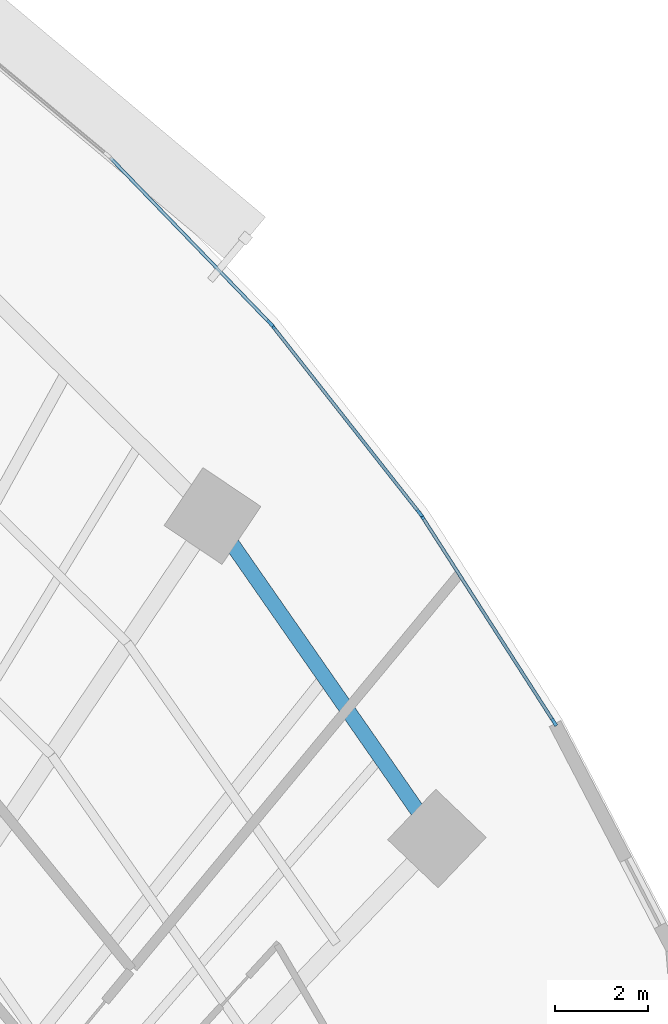
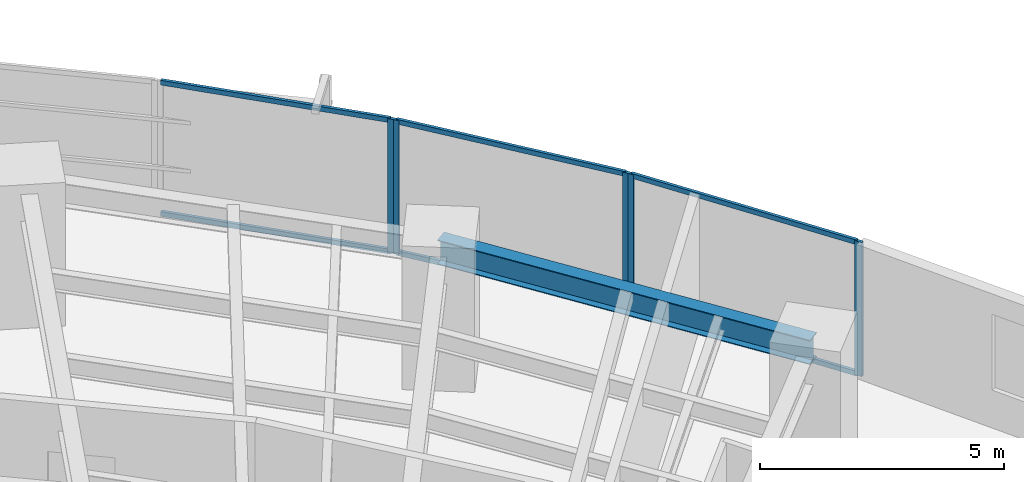
# One storey, part 8 of 17: 11 members, 1 beam, 3 elements without a shape of their own.
"""IFC4 building model written with IfcOpenShell, lengths in metres."""

from ifc_helpers import new_model, si_unit, direction, frame, origin, origin_2d, place, context, subcontext, project, spatial, rectangle, i_section, extrude, source, transform, mapped, material, layer, layer_set, material_profile, profile_set, type_object, type_shapes, element, aggregate, save


model = new_model("IFC4")

# Units and contexts
model_context = context("Model", 3, precision=1e-05, world=origin(), true_north=direction((0.0, 1.0)))
body_context = subcontext(model_context, "Body", "Model", "MODEL_VIEW")
ifc_project = project(units=[si_unit("LENGTHUNIT", "METRE"), si_unit("AREAUNIT", "SQUARE_METRE"), si_unit("VOLUMEUNIT", "CUBIC_METRE"), si_unit("PLANEANGLEUNIT", "RADIAN"), si_unit("MASSUNIT", "GRAM", prefix="KILO")], contexts=[model_context])

# Site, building, storey
site_placement = place(None, origin())
site = spatial("IfcSite", under=ifc_project, at=site_placement, CompositionType="ELEMENT")
building_placement = place(site_placement, origin())
building = spatial("IfcBuilding", under=site, at=building_placement, Name="Breltana Convention Tower", CompositionType="ELEMENT")
storey_placement = place(building_placement, frame((0.0, 0.0, 75.0)))
storey = spatial("IfcBuildingStorey", under=building, at=storey_placement, Name="L17", CompositionType="ELEMENT", Elevation=75.0)

# Beam
ifc_material_1 = material(Name="Steel ASTM A992 Grade 50", Category="steel")
ifc_material_profile_1 = material_profile(ifc_material_1, i_section(OverallWidth=0.323974609375, OverallDepth=0.611083984375, WebThickness=0.0126953125, FlangeThickness=0.01904296875, at=origin_2d()), Name="W24X104")
ifc_profile_set_1 = profile_set([ifc_material_profile_1], Name="Steel ASTM A992 Grade 50")
beam_type = type_object("IfcBeamType", Name="BM-SP-W24X104", PredefinedType="SPANDREL", material=ifc_profile_set_1)
shared_shape_1 = source(origin(), body_context, "Body", "SweptSolid", [
    extrude(i_section(OverallWidth=0.323974609375, OverallDepth=0.611083984375, WebThickness=0.0126953125, FlangeThickness=0.01904296875, at=origin_2d()), origin(), (0.0, 0.0, 1.0), 8.44970703125),
])
beam_placement = place(storey_placement, frame((75.166748046875, 62.43017578125, 3.054443359375), z_axis=(0.5711855381, -0.820820979913, 0.0), x_axis=(0.820820979913, 0.5711855381, 0.0)))
element("IfcBeam", 1, at=beam_placement, inside=storey, type_object=beam_type, Name="L17 Outer Spandrel Beam 10", PredefinedType="SPANDREL", context=body_context, shape_type="MappedRepresentation", body=[
    mapped(shared_shape_1, transform((0.0, 0.0, 0.0), scale=1.0)),
])

# Curtain wall, member
ifc_material_2 = material(Name="Aluminium Anodised Bronze Frame", Category="aluminium")
ifc_layer = layer(ifc_material_2, 0.199951171875, Name="Aluminium Anodised Bronze Frame")
ifc_layer_set = layer_set([ifc_layer], Name="Aluminium Anodised Bronze Frame")
curtain_wall_type = type_object("IfcCurtainWallType", Name="CW-SYS-2", PredefinedType="NOTDEFINED", material=ifc_layer_set)
curtain_wall_1_placement = place(storey_placement, origin())
curtain_wall_1 = element("IfcCurtainWall", 2, at=curtain_wall_1_placement, inside=storey, type_object=curtain_wall_type, Name="L17 outer double-skin inner glazing 16", PredefinedType="NOTDEFINED")
ifc_material_3 = material(Name="Aluminium Anodised Bronze", Category="aluminium")
ifc_material_profile_2 = material_profile(ifc_material_3, rectangle(XDim=0.070068359375, YDim=0.175048828125, at=origin_2d()), Name="CWM-70X175")
ifc_profile_set_2 = profile_set([ifc_material_profile_2], Name="Aluminium Anodised Bronze")
member_type_1 = type_object("IfcMemberType", Name="CWM-175", PredefinedType="MULLION", material=ifc_profile_set_2)
shared_shape_2 = source(origin(), body_context, "Body", "SweptSolid", [
    extrude(rectangle(XDim=0.070068359375, YDim=0.175048828125, at=origin_2d()), origin(), (0.0, 0.0, 1.0), 3.360107421875),
])
type_shapes(member_type_1, [shared_shape_2])
member_1_placement = place(storey_placement, frame((76.408935546875, 66.571533203125, 0.0), z_axis=(0.0, 0.0, 1.0), x_axis=(0.719386421003, 0.694610090106, 0.0)))
member_1 = element("IfcMember", 3, at=member_1_placement, type_object=member_type_1, Name="CW-02 mullion 2", PredefinedType="MULLION", context=body_context, shape_type="MappedRepresentation", body=[
    mapped(shared_shape_2, transform((0.0, 0.0, 0.0), scale=1.0)),
])

# Curtain wall, members
curtain_wall_2_placement = place(storey_placement, origin())
curtain_wall_2 = element("IfcCurtainWall", 4, at=curtain_wall_2_placement, inside=storey, type_object=curtain_wall_type, Name="L17 outer double-skin inner glazing 17", PredefinedType="NOTDEFINED")
member_2_placement = place(storey_placement, frame((76.454833984375, 66.518798828125, 0.0), z_axis=(0.0, 0.0, 1.0), x_axis=(0.786057080698, 0.618153917633, 0.0)))
member_2 = element("IfcMember", 5, at=member_2_placement, type_object=member_type_1, Name="CW-02 mullion 1", PredefinedType="MULLION", context=body_context, shape_type="MappedRepresentation", body=[
    mapped(shared_shape_2, transform((0.0, 0.0, 0.0), scale=1.0)),
])
member_3_placement = place(storey_placement, frame((79.62255859375, 62.49072265625, 0.0), z_axis=(0.0, 0.0, 1.0), x_axis=(0.786057080698, 0.618153917633, 0.0)))
member_3 = element("IfcMember", 6, at=member_3_placement, type_object=member_type_1, Name="CW-02 mullion 2", PredefinedType="MULLION", context=body_context, shape_type="MappedRepresentation", body=[
    mapped(shared_shape_2, transform((0.0, 0.0, 0.0), scale=1.0)),
])

curtain_wall_3_placement = place(storey_placement, origin())
curtain_wall_3 = element("IfcCurtainWall", 7, at=curtain_wall_3_placement, inside=storey, type_object=curtain_wall_type, Name="L17 outer double-skin inner glazing 18", PredefinedType="NOTDEFINED")
member_4_placement = place(storey_placement, frame((79.6630859375, 62.43359375, 0.0), z_axis=(0.0, 0.0, 1.0), x_axis=(0.841549039154, 0.540180724109, 0.0)))
member_4 = element("IfcMember", 8, at=member_4_placement, type_object=member_type_1, Name="CW-02 mullion 1", PredefinedType="MULLION", context=body_context, shape_type="MappedRepresentation", body=[
    mapped(shared_shape_2, transform((0.0, 0.0, 0.0), scale=1.0)),
])
member_5_placement = place(storey_placement, frame((82.512939453125, 57.993896484375, 0.0), z_axis=(0.0, 0.0, 1.0), x_axis=(0.841549039154, 0.540180724109, 0.0)))
member_5 = element("IfcMember", 9, at=member_5_placement, type_object=member_type_1, Name="CW-02 mullion 2", PredefinedType="MULLION", context=body_context, shape_type="MappedRepresentation", body=[
    mapped(shared_shape_2, transform((0.0, 0.0, 0.0), scale=1.0)),
])

# Member
ifc_material_profile_3 = material_profile(ifc_material_3, rectangle(XDim=0.070068359375, YDim=0.1201171875, at=origin_2d()), Name="CWT-70X120")
ifc_profile_set_3 = profile_set([ifc_material_profile_3], Name="Aluminium Anodised Bronze")
member_type_2 = type_object("IfcMemberType", Name="CWT-120", PredefinedType="USERDEFINED", material=ifc_profile_set_3)
shared_shape_3 = source(origin(), body_context, "Body", "SweptSolid", [
    extrude(rectangle(XDim=0.070068359375, YDim=0.1201171875, at=origin_2d()), origin(), (0.0, 0.0, 1.0), 5.0546875),
])
member_6_placement = place(storey_placement, frame((76.4765625, 66.491455078125, 0.034912109375), z_axis=(0.618135067667, -0.786071903913, 0.0), x_axis=(0.786071903913, 0.618135067667, 0.0)))
member_6 = element("IfcMember", 10, at=member_6_placement, type_object=member_type_2, Name="CW-02 transom 1.1", ObjectType="TRANSOM", PredefinedType="USERDEFINED", context=body_context, shape_type="MappedRepresentation", body=[
    mapped(shared_shape_3, transform((0.0, 0.0, 0.0), scale=1.0)),
])

member_7_placement = place(storey_placement, frame((76.4765625, 66.491455078125, 3.324951171875), z_axis=(0.618135067667, -0.786071903913, 0.0), x_axis=(0.786071903913, 0.618135067667, 0.0)))
member_7 = element("IfcMember", 11, at=member_7_placement, type_object=member_type_2, Name="CW-02 transom 1.2", ObjectType="TRANSOM", PredefinedType="USERDEFINED", context=body_context, shape_type="MappedRepresentation", body=[
    mapped(shared_shape_3, transform((0.0, 0.0, 0.0), scale=1.0)),
])

aggregate(curtain_wall_2, [member_2, member_3, member_6, member_7])

shared_shape_4 = source(origin(), body_context, "Body", "SweptSolid", [
    extrude(rectangle(XDim=0.070068359375, YDim=0.1201171875, at=origin_2d()), origin(), (0.0, 0.0, 1.0), 4.901123046875),
])
member_8_placement = place(storey_placement, frame((72.980224609375, 70.12255859375, 0.034912109375), z_axis=(0.6945945137, -0.719401460617, 0.0), x_axis=(0.719401460617, 0.6945945137, 0.0)))
member_8 = element("IfcMember", 12, at=member_8_placement, type_object=member_type_2, Name="CW-02 transom 1.1", ObjectType="TRANSOM", PredefinedType="USERDEFINED", context=body_context, shape_type="MappedRepresentation", body=[
    mapped(shared_shape_4, transform((0.0, 0.0, 0.0), scale=1.0)),
])

member_9_placement = place(storey_placement, frame((72.980224609375, 70.12255859375, 3.324951171875), z_axis=(0.6945945137, -0.719401460617, 0.0), x_axis=(0.719401460617, 0.6945945137, 0.0)))
member_9 = element("IfcMember", 13, at=member_9_placement, type_object=member_type_2, Name="CW-02 transom 1.2", ObjectType="TRANSOM", PredefinedType="USERDEFINED", context=body_context, shape_type="MappedRepresentation", body=[
    mapped(shared_shape_4, transform((0.0, 0.0, 0.0), scale=1.0)),
])

aggregate(curtain_wall_1, [member_1, member_8, member_9])

shared_shape_5 = source(origin(), body_context, "Body", "SweptSolid", [
    extrude(rectangle(XDim=0.070068359375, YDim=0.1201171875, at=origin_2d()), origin(), (0.0, 0.0, 1.0), 5.205810546875),
])
member_10_placement = place(storey_placement, frame((79.68212890625, 62.404296875, 0.034912109375), z_axis=(0.540179102764, -0.841550079875, 0.0), x_axis=(0.841550079875, 0.540179102764, 0.0)))
member_10 = element("IfcMember", 14, at=member_10_placement, type_object=member_type_2, Name="CW-02 transom 1.1", ObjectType="TRANSOM", PredefinedType="USERDEFINED", context=body_context, shape_type="MappedRepresentation", body=[
    mapped(shared_shape_5, transform((0.0, 0.0, 0.0), scale=1.0)),
])

member_11_placement = place(storey_placement, frame((79.68212890625, 62.404296875, 3.324951171875), z_axis=(0.540179102764, -0.841550079875, 0.0), x_axis=(0.841550079875, 0.540179102764, 0.0)))
member_11 = element("IfcMember", 15, at=member_11_placement, type_object=member_type_2, Name="CW-02 transom 1.2", ObjectType="TRANSOM", PredefinedType="USERDEFINED", context=body_context, shape_type="MappedRepresentation", body=[
    mapped(shared_shape_5, transform((0.0, 0.0, 0.0), scale=1.0)),
])

aggregate(curtain_wall_3, [member_4, member_5, member_10, member_11])

save(model, "model.ifc")
